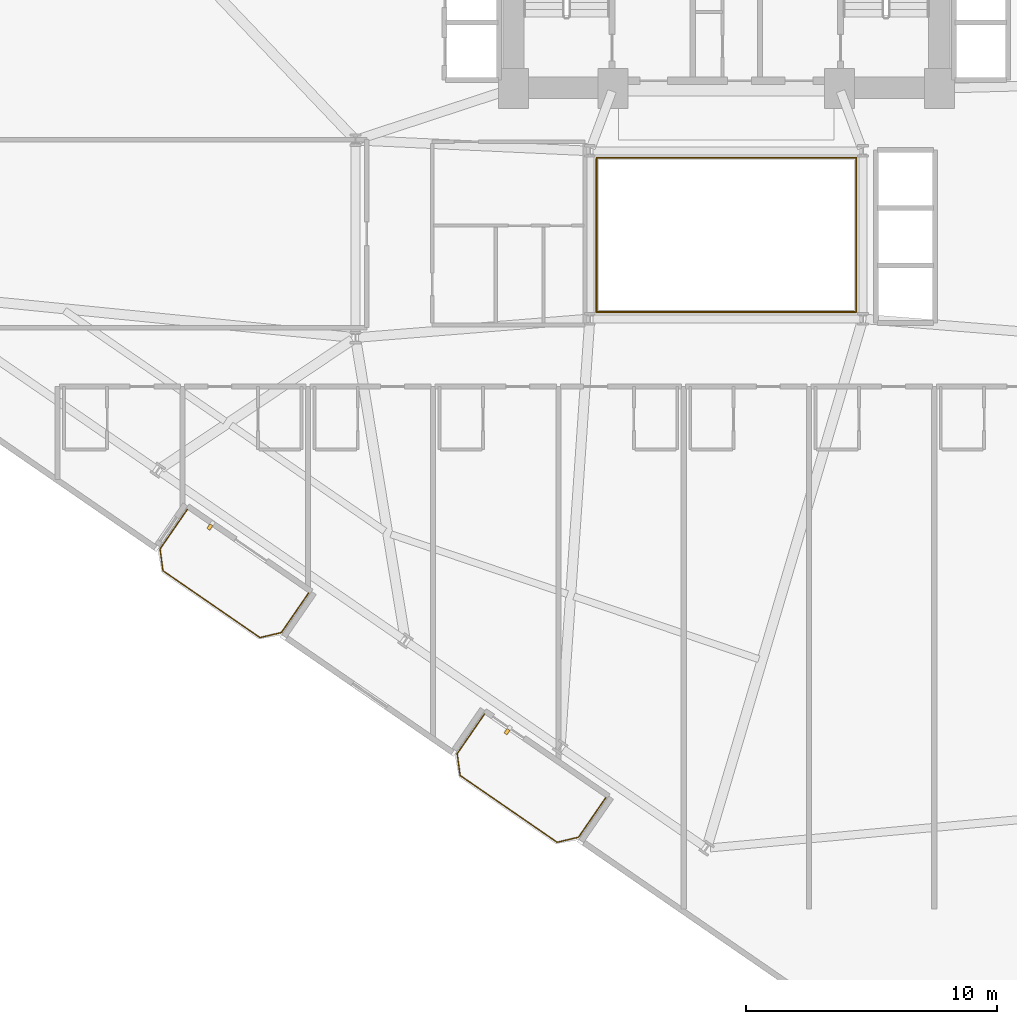
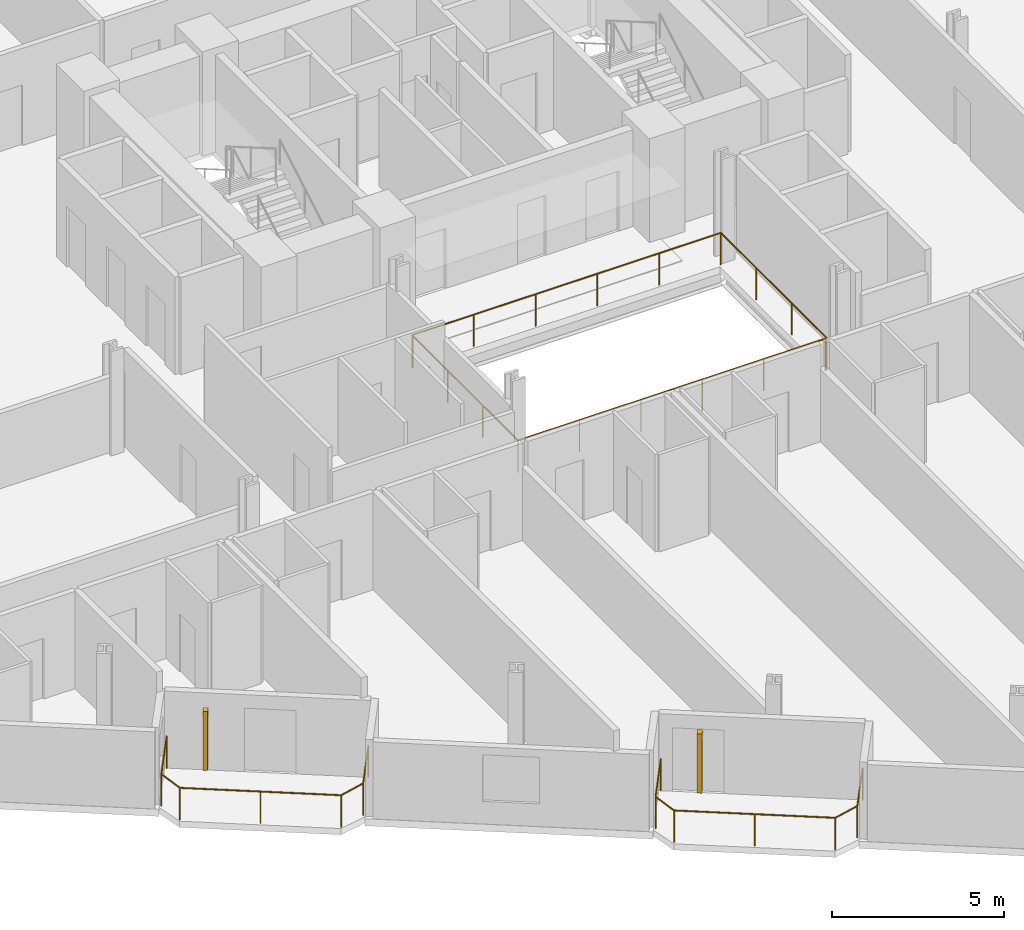
# One storey, part 25 of 27: 4 railings, 2 shading devices.
"""IFC4 building model written with IfcOpenShell, lengths in metres."""

from ifc_helpers import new_model, si_unit, direction, frame, origin, origin_2d, place, context, subcontext, project, spatial, rectangle, circle, extrude, source, transform, mapped, material, type_object, element, save


model = new_model("IFC4")

# Units and contexts
model_context = context("Model", 3, precision=1e-05, world=origin(), true_north=direction((0.0, 1.0)))
body_context = subcontext(model_context, "Body", "Model", "MODEL_VIEW")
ifc_project = project(units=[si_unit("LENGTHUNIT", "METRE"), si_unit("AREAUNIT", "SQUARE_METRE"), si_unit("VOLUMEUNIT", "CUBIC_METRE"), si_unit("PLANEANGLEUNIT", "RADIAN"), si_unit("MASSUNIT", "GRAM", prefix="KILO")], contexts=[model_context])

# Site, building, storey
site_placement = place(None, origin())
site = spatial("IfcSite", under=ifc_project, at=site_placement, CompositionType="ELEMENT")
building_placement = place(site_placement, origin())
building = spatial("IfcBuilding", under=site, at=building_placement, Name="Varnelok Gate Tower", CompositionType="ELEMENT")
storey_placement = place(building_placement, frame((0.0, 0.0, 30.699951171875)))
storey = spatial("IfcBuildingStorey", under=building, at=storey_placement, Name="L06", CompositionType="ELEMENT", Elevation=30.699951171875)

# Railings
ifc_material_1 = material(Name="Tempered Laminated Balustrade Glass", Category="glass")
railing_type_1 = type_object("IfcRailingType", Name="RL-ATR-GUARD1150", PredefinedType="GUARDRAIL", material=ifc_material_1)
railing_1_placement = place(storey_placement, frame((34.02001953125, 25.929931640625, 0.0)))
element("IfcRailing", 1, at=railing_1_placement, inside=storey, type_object=railing_type_1, Name="L06 Internal Atrium South-West Guardrail", PredefinedType="GUARDRAIL", context=body_context, shape_type="SweptSolid", body=[
    extrude(circle(Radius=0.02392578125, at=origin_2d()), frame((0.0, 0.0, 1.1259765625), z_axis=(0.0, -1.0, 0.0), x_axis=(1.0, 0.0, 0.0)), (0.0, 0.0, 1.0), 6.10986328125),
    extrude(circle(Radius=0.02392578125, at=origin_2d()), frame((0.0, -6.10986328125, 1.1259765625), z_axis=(1.0, 0.0, 0.0), x_axis=(0.0, 1.0, 0.0)), (0.0, 0.0, 1.0), 10.31005859375),
    extrude(circle(Radius=0.02099609375, at=origin_2d()), origin(), (0.0, 0.0, 1.0), 1.101806640625),
    extrude(circle(Radius=0.02099609375, at=origin_2d()), frame((0.0, -2.03662109375, 0.0)), (0.0, 0.0, 1.0), 1.101806640625),
    extrude(circle(Radius=0.02099609375, at=origin_2d()), frame((0.0, -4.0732421875, 0.0)), (0.0, 0.0, 1.0), 1.101806640625),
    extrude(circle(Radius=0.02099609375, at=origin_2d()), frame((0.0, -6.10986328125, 0.0)), (0.0, 0.0, 1.0), 1.101806640625),
    extrude(circle(Radius=0.02099609375, at=origin_2d()), frame((2.06201171875, -6.10986328125, 0.0)), (0.0, 0.0, 1.0), 1.101806640625),
    extrude(circle(Radius=0.02099609375, at=origin_2d()), frame((4.1240234375, -6.10986328125, 0.0)), (0.0, 0.0, 1.0), 1.101806640625),
    extrude(circle(Radius=0.02099609375, at=origin_2d()), frame((6.18603515625, -6.10986328125, 0.0)), (0.0, 0.0, 1.0), 1.101806640625),
    extrude(circle(Radius=0.02099609375, at=origin_2d()), frame((8.248046875, -6.10986328125, 0.0)), (0.0, 0.0, 1.0), 1.101806640625),
    extrude(circle(Radius=0.02099609375, at=origin_2d()), frame((10.31005859375, -6.10986328125, 0.0)), (0.0, 0.0, 1.0), 1.101806640625),
])
railing_2_placement = place(storey_placement, frame((44.3798828125, 19.820068359375, 0.0)))
element("IfcRailing", 2, at=railing_2_placement, inside=storey, type_object=railing_type_1, Name="L06 Internal Atrium North-East Guardrail", PredefinedType="GUARDRAIL", context=body_context, shape_type="SweptSolid", body=[
    extrude(circle(Radius=0.02392578125, at=origin_2d()), frame((0.0, 0.0, 1.1259765625), z_axis=(0.0, 1.0, 0.0), x_axis=(-1.0, 0.0, 0.0)), (0.0, 0.0, 1.0), 6.159912109375),
    extrude(circle(Radius=0.02392578125, at=origin_2d()), frame((0.0, 6.159912109375, 1.1259765625), z_axis=(-1.0, 0.0, 0.0), x_axis=(0.0, -1.0, 0.0)), (0.0, 0.0, 1.0), 10.35986328125),
    extrude(circle(Radius=0.02099609375, at=origin_2d()), origin(), (0.0, 0.0, 1.0), 1.101806640625),
    extrude(circle(Radius=0.02099609375, at=origin_2d()), frame((0.0, 2.05322265625, 0.0)), (0.0, 0.0, 1.0), 1.101806640625),
    extrude(circle(Radius=0.02099609375, at=origin_2d()), frame((0.0, 4.106689453125, 0.0)), (0.0, 0.0, 1.0), 1.101806640625),
    extrude(circle(Radius=0.02099609375, at=origin_2d()), frame((0.0, 6.159912109375, 0.0)), (0.0, 0.0, 1.0), 1.101806640625),
    extrude(circle(Radius=0.02099609375, at=origin_2d()), frame((-2.072021484375, 6.159912109375, 0.0)), (0.0, 0.0, 1.0), 1.101806640625),
    extrude(circle(Radius=0.02099609375, at=origin_2d()), frame((-4.14404296875, 6.159912109375, 0.0)), (0.0, 0.0, 1.0), 1.101806640625),
    extrude(circle(Radius=0.02099609375, at=origin_2d()), frame((-6.2158203125, 6.159912109375, 0.0)), (0.0, 0.0, 1.0), 1.101806640625),
    extrude(circle(Radius=0.02099609375, at=origin_2d()), frame((-8.287841796875, 6.159912109375, 0.0)), (0.0, 0.0, 1.0), 1.101806640625),
    extrude(circle(Radius=0.02099609375, at=origin_2d()), frame((-10.35986328125, 6.159912109375, 0.0)), (0.0, 0.0, 1.0), 1.101806640625),
])
ifc_material_2 = material(Name="Low-E Laminated Double Glazing IGU", Category="glass")
railing_type_2 = type_object("IfcRailingType", Name="RL-BALC-1150", PredefinedType="BALUSTRADE", material=ifc_material_2)
railing_3_placement = place(storey_placement, frame((17.688720703125, 11.9462890625, 0.0)))
element("IfcRailing", 3, at=railing_3_placement, inside=storey, type_object=railing_type_2, Name="L06 South Terrace Balustrade 1", PredefinedType="BALUSTRADE", context=body_context, shape_type="SweptSolid", body=[
    extrude(circle(Radius=0.02392578125, at=origin_2d()), frame((0.0, 0.0, 1.1259765625), z_axis=(-0.567224752248, -0.823563039747, 0.0), x_axis=(0.823563039747, -0.567224752248, 0.0)), (0.0, 0.0, 1.0), 1.920166015625),
    extrude(circle(Radius=0.02392578125, at=origin_2d()), frame((-1.089111328125, -1.581298828125, 1.1259765625), z_axis=(0.133511834152, -0.991047218926, 0.0), x_axis=(0.991047218926, 0.133511834152, 0.0)), (0.0, 0.0, 1.0), 0.877685546875),
    extrude(circle(Radius=0.02392578125, at=origin_2d()), frame((-0.971923828125, -2.451171875, 1.1259765625), z_axis=(0.823523239622, -0.567282534371, 0.0), x_axis=(0.567282534371, 0.823523239622, 0.0)), (0.0, 0.0, 1.0), 4.699951171875),
    extrude(circle(Radius=0.02392578125, at=origin_2d()), frame((2.898681640625, -5.117431640625, 1.1259765625), z_axis=(0.973573806257, 0.228372598553, 0.0), x_axis=(-0.228372598553, 0.973573806257, 0.0)), (0.0, 0.0, 1.0), 0.877685546875),
    extrude(circle(Radius=0.02392578125, at=origin_2d()), frame((3.753173828125, -4.9169921875, 1.1259765625), z_axis=(0.567224752248, 0.823563039747, 0.0), x_axis=(-0.823563039747, 0.567224752248, 0.0)), (0.0, 0.0, 1.0), 1.920166015625),
    extrude(circle(Radius=0.02099609375, at=origin_2d()), origin(), (0.0, 0.0, 1.0), 1.101806640625),
    extrude(circle(Radius=0.02099609375, at=origin_2d()), frame((-1.089111328125, -1.581298828125, 0.0)), (0.0, 0.0, 1.0), 1.101806640625),
    extrude(circle(Radius=0.02099609375, at=origin_2d()), frame((-0.971923828125, -2.451171875, 0.0)), (0.0, 0.0, 1.0), 1.101806640625),
    extrude(circle(Radius=0.02099609375, at=origin_2d()), frame((0.96337890625, -3.7841796875, 0.0)), (0.0, 0.0, 1.0), 1.101806640625),
    extrude(circle(Radius=0.02099609375, at=origin_2d()), frame((2.898681640625, -5.117431640625, 0.0)), (0.0, 0.0, 1.0), 1.101806640625),
    extrude(circle(Radius=0.02099609375, at=origin_2d()), frame((3.753173828125, -4.9169921875, 0.0)), (0.0, 0.0, 1.0), 1.101806640625),
    extrude(circle(Radius=0.02099609375, at=origin_2d()), frame((4.84228515625, -3.335693359375, 0.0)), (0.0, 0.0, 1.0), 1.101806640625),
])
railing_4_placement = place(storey_placement, frame((29.547607421875, 3.777587890625, 0.0)))
element("IfcRailing", 4, at=railing_4_placement, inside=storey, type_object=railing_type_2, Name="L06 South Terrace Balustrade 2", PredefinedType="BALUSTRADE", context=body_context, shape_type="SweptSolid", body=[
    extrude(circle(Radius=0.02392578125, at=origin_2d()), frame((0.0, 0.0, 1.1259765625), z_axis=(-0.567224752248, -0.823563039747, 0.0), x_axis=(0.823563039747, -0.567224752248, 0.0)), (0.0, 0.0, 1.0), 1.920166015625),
    extrude(circle(Radius=0.02392578125, at=origin_2d()), frame((-1.089111328125, -1.581298828125, 1.1259765625), z_axis=(0.133511834152, -0.991047218926, 0.0), x_axis=(0.991047218926, 0.133511834152, 0.0)), (0.0, 0.0, 1.0), 0.877685546875),
    extrude(circle(Radius=0.02392578125, at=origin_2d()), frame((-0.971923828125, -2.451171875, 1.1259765625), z_axis=(0.823523239622, -0.567282534371, 0.0), x_axis=(0.567282534371, 0.823523239622, 0.0)), (0.0, 0.0, 1.0), 4.699951171875),
    extrude(circle(Radius=0.02392578125, at=origin_2d()), frame((2.898681640625, -5.117431640625, 1.1259765625), z_axis=(0.973511928193, 0.228636229993, 0.0), x_axis=(-0.228636229993, 0.973511928193, 0.0)), (0.0, 0.0, 1.0), 0.877685546875),
    extrude(circle(Radius=0.02392578125, at=origin_2d()), frame((3.753173828125, -4.916748046875, 1.1259765625), z_axis=(0.567284155424, 0.82352212296, 0.0), x_axis=(-0.82352212296, 0.567284155424, 0.0)), (0.0, 0.0, 1.0), 1.919921875),
    extrude(circle(Radius=0.02099609375, at=origin_2d()), origin(), (0.0, 0.0, 1.0), 1.101806640625),
    extrude(circle(Radius=0.02099609375, at=origin_2d()), frame((-1.089111328125, -1.581298828125, 0.0)), (0.0, 0.0, 1.0), 1.101806640625),
    extrude(circle(Radius=0.02099609375, at=origin_2d()), frame((-0.971923828125, -2.451171875, 0.0)), (0.0, 0.0, 1.0), 1.101806640625),
    extrude(circle(Radius=0.02099609375, at=origin_2d()), frame((0.96337890625, -3.7841796875, 0.0)), (0.0, 0.0, 1.0), 1.101806640625),
    extrude(circle(Radius=0.02099609375, at=origin_2d()), frame((2.898681640625, -5.117431640625, 0.0)), (0.0, 0.0, 1.0), 1.101806640625),
    extrude(circle(Radius=0.02099609375, at=origin_2d()), frame((3.753173828125, -4.916748046875, 0.0)), (0.0, 0.0, 1.0), 1.101806640625),
    extrude(circle(Radius=0.02099609375, at=origin_2d()), frame((4.84228515625, -3.335693359375, 0.0)), (0.0, 0.0, 1.0), 1.101806640625),
])

# Shading devices
ifc_material_3 = material(Name="Glazed Architectural Terracotta Ceramic", Category="masonry")
shading_device_type = type_object("IfcShadingDeviceType", Name="SHD-TERRA-BAGUETTE", PredefinedType="USERDEFINED", material=ifc_material_3)
shared_shape = source(origin(), body_context, "Body", "SweptSolid", [
    extrude(rectangle(XDim=0.139892578125, YDim=0.219970703125, at=origin_2d()), origin(), (0.0, 0.0, 1.0), 2.10009765625),
])
for number, where, z_axis, x_axis, name in (
    (5, (18.587890625, 11.24169921875, 0.10009765625), (0.0, 0.0, 1.0), (0.823532597628, -0.567268949127, 0.0), "L06 Terracotta Ceramic Baguette Sunscreen 1.1"),
    (6, (30.44677734375, 3.072998046875, 0.10009765625), (0.0, 0.0, 1.0), (0.823532597628, -0.567268949127, 0.0), "L06 Terracotta Ceramic Baguette Sunscreen 2.1"),
):
    element("IfcShadingDevice", number, at=place(storey_placement, frame(where, z_axis=z_axis, x_axis=x_axis)), inside=storey, type_object=shading_device_type, Name=name, ObjectType="BAGUETTE", PredefinedType="USERDEFINED", context=body_context, shape_type="MappedRepresentation", body=[
        mapped(shared_shape, transform((0.0, 0.0, 0.0), scale=1.0)),
    ])

save(model, "model.ifc")
